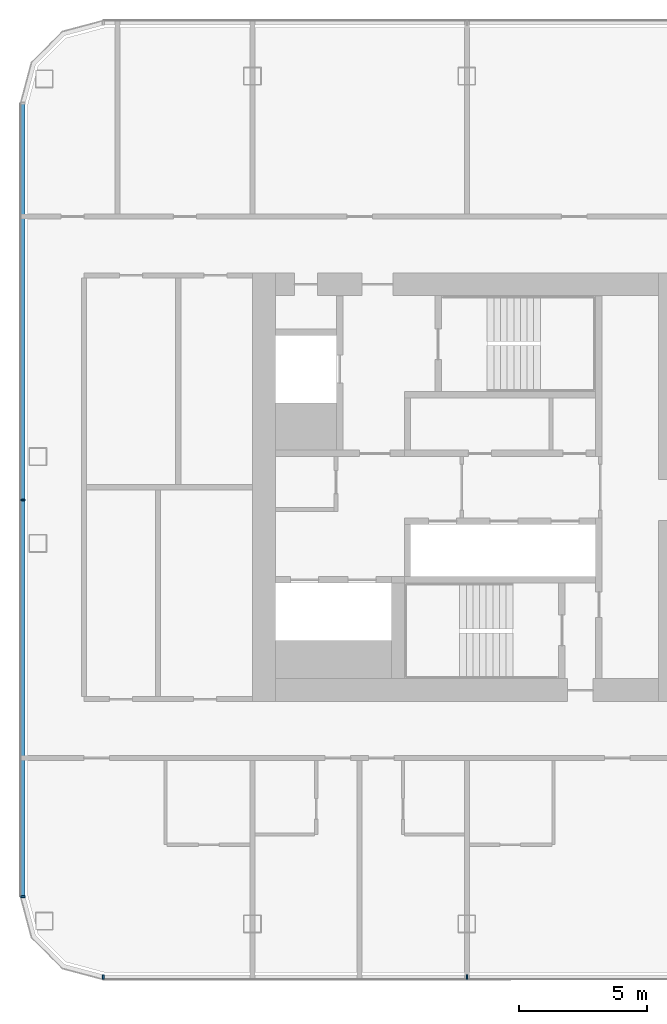
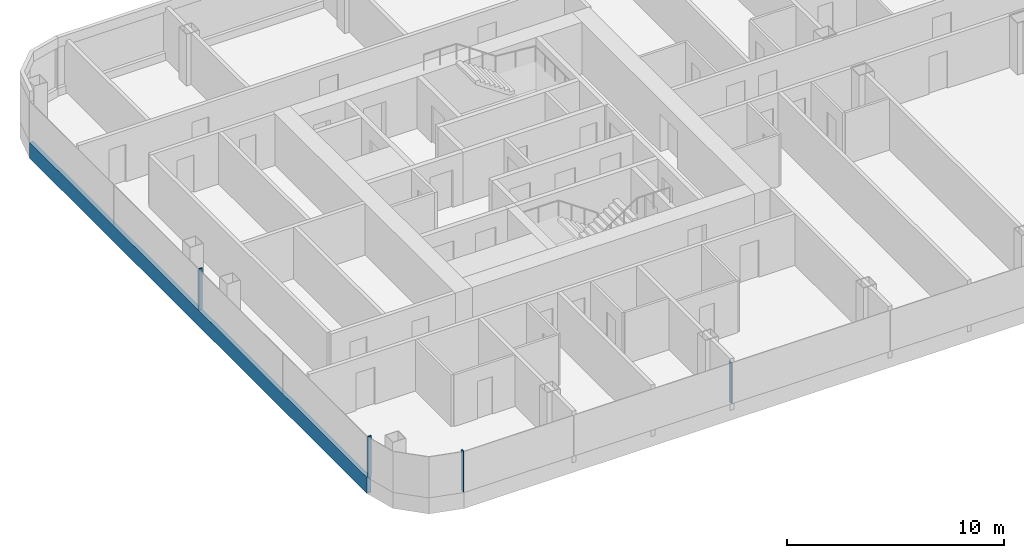
# One storey, part 2 of 26: 5 members, 2 elements without a shape of their own.
"""IFC4 building model written with IfcOpenShell, lengths in metres."""

from ifc_helpers import new_model, si_unit, direction, frame, origin, origin_2d, place, context, subcontext, project, spatial, rectangle, extrude, material, layer, layer_set, material_profile, profile_set, type_object, element, aggregate, save


model = new_model("IFC4")

# Units and contexts
model_context = context("Model", 3, precision=1e-05, world=origin(), true_north=direction((0.0, 1.0)))
body_context = subcontext(model_context, "Body", "Model", "MODEL_VIEW")
ifc_project = project(units=[si_unit("LENGTHUNIT", "METRE"), si_unit("AREAUNIT", "SQUARE_METRE"), si_unit("VOLUMEUNIT", "CUBIC_METRE"), si_unit("PLANEANGLEUNIT", "RADIAN"), si_unit("MASSUNIT", "GRAM", prefix="KILO")], contexts=[model_context])

# Site, building, storey
site_placement = place(None, origin())
site = spatial("IfcSite", under=ifc_project, at=site_placement, CompositionType="ELEMENT")
building_placement = place(site_placement, origin())
building = spatial("IfcBuilding", under=site, at=building_placement, Name="Hakoniwa Tower and Hamabe Station Hall", CompositionType="ELEMENT")
storey_placement = place(building_placement, frame((0.0, 0.0, 172.60009765625)))
storey = spatial("IfcBuildingStorey", under=building, at=storey_placement, Name="L49", CompositionType="ELEMENT", Elevation=172.60009765625)

# Curtain wall, members
ifc_material_1 = material(Name="Dark low-e laminated glass", Category="glass")
ifc_layer = layer(ifc_material_1, 0.199951171875)
ifc_layer_set = layer_set([ifc_layer], Name="CW-1 UNITISED GUEST")
curtain_wall_type = type_object("IfcCurtainWallType", Name="CW-1 UNITISED GUEST", PredefinedType="NOTDEFINED", material=ifc_layer_set)
curtain_wall_1_placement = place(storey_placement, origin())
curtain_wall_1 = element("IfcCurtainWall", 1, at=curtain_wall_1_placement, inside=storey, type_object=curtain_wall_type, Name="CW-1 curtain wall", PredefinedType="NOTDEFINED")
ifc_material_2 = material(Name="Aluminium 6063-T5 black anodised", Category="aluminium")
ifc_material_profile_1 = material_profile(ifc_material_2, rectangle(XDim=0.199951171875, YDim=0.89990234375, at=origin_2d()), Name="CW SLAB-EDGE BAND 900X200")
ifc_profile_set_1 = profile_set([ifc_material_profile_1], Name="Aluminium 6063-T5 black anodised")
member_type_1 = type_object("IfcMemberType", Name="CW SLAB-EDGE BAND 900X200", PredefinedType="USERDEFINED", material=ifc_profile_set_1)
member_1_placement = place(storey_placement, frame((-42.60009765625, 15.03955078125, -0.10009765625), z_axis=(0.0, -1.0, 0.0), x_axis=(1.0, 0.0, 0.0)))
member_1 = element("IfcMember", 2, at=member_1_placement, type_object=member_type_1, Name="CW-1 transom", ObjectType="TRANSOM", PredefinedType="USERDEFINED", context=body_context, shape_type="SweptSolid", body=[
    extrude(rectangle(XDim=0.199951171875, YDim=0.89990234375, at=origin_2d()), origin(), (0.0, 0.0, 1.0), 31.0791015625),
])
ifc_material_3 = material(Name="Aluminium 6063-T5 black anodised", Category="aluminium")
ifc_material_profile_2 = material_profile(ifc_material_3, rectangle(XDim=0.06005859375, YDim=0.179931640625, at=origin_2d()), Name="CW-1 MULLION 60X180")
ifc_profile_set_2 = profile_set([ifc_material_profile_2], Name="Aluminium 6063-T5 black anodised")
member_type_2 = type_object("IfcMemberType", Name="CW-1 MULLION 60X180", PredefinedType="MULLION", material=ifc_profile_set_2)
member_2_placement = place(storey_placement, frame((-42.58203125, -0.5, 0.349853515625), z_axis=(0.0, 0.0, 1.0), x_axis=(0.0, -1.0, 0.0)))
member_2 = element("IfcMember", 3, at=member_2_placement, type_object=member_type_2, Name="CW-1 mullion", PredefinedType="MULLION", context=body_context, shape_type="SweptSolid", body=[
    extrude(rectangle(XDim=0.06005859375, YDim=0.179931640625, at=origin_2d()), origin(), (0.0, 0.0, 1.0), 2.300048828125),
])
member_3_placement = place(storey_placement, frame((-42.58203125, -16.03955078125, 0.349853515625), z_axis=(0.0, 0.0, 1.0), x_axis=(0.0, -1.0, 0.0)))
member_3 = element("IfcMember", 4, at=member_3_placement, type_object=member_type_2, Name="CW-1 mullion", PredefinedType="MULLION", context=body_context, shape_type="SweptSolid", body=[
    extrude(rectangle(XDim=0.06005859375, YDim=0.179931640625, at=origin_2d()), origin(), (0.0, 0.0, 1.0), 2.300048828125),
])
aggregate(curtain_wall_1, [member_2, member_3, member_1])

curtain_wall_2_placement = place(storey_placement, origin())
curtain_wall_2 = element("IfcCurtainWall", 5, at=curtain_wall_2_placement, inside=storey, type_object=curtain_wall_type, Name="CW-1 curtain wall", PredefinedType="NOTDEFINED")
member_4_placement = place(storey_placement, frame((-39.439453125, -19.181884765625, 0.349853515625), z_axis=(0.0, 0.0, 1.0), x_axis=(1.0, 0.0, 0.0)))
member_4 = element("IfcMember", 6, at=member_4_placement, type_object=member_type_2, Name="CW-1 mullion", PredefinedType="MULLION", context=body_context, shape_type="SweptSolid", body=[
    extrude(rectangle(XDim=0.06005859375, YDim=0.179931640625, at=origin_2d()), origin(), (0.0, 0.0, 1.0), 2.300048828125),
])
member_5_placement = place(storey_placement, frame((-25.199951171875, -19.181884765625, 0.349853515625), z_axis=(0.0, 0.0, 1.0), x_axis=(1.0, 0.0, 0.0)))
member_5 = element("IfcMember", 7, at=member_5_placement, type_object=member_type_2, Name="CW-1 mullion", PredefinedType="MULLION", context=body_context, shape_type="SweptSolid", body=[
    extrude(rectangle(XDim=0.06005859375, YDim=0.179931640625, at=origin_2d()), origin(), (0.0, 0.0, 1.0), 2.300048828125),
])
aggregate(curtain_wall_2, [member_4, member_5])

save(model, "model.ifc")
